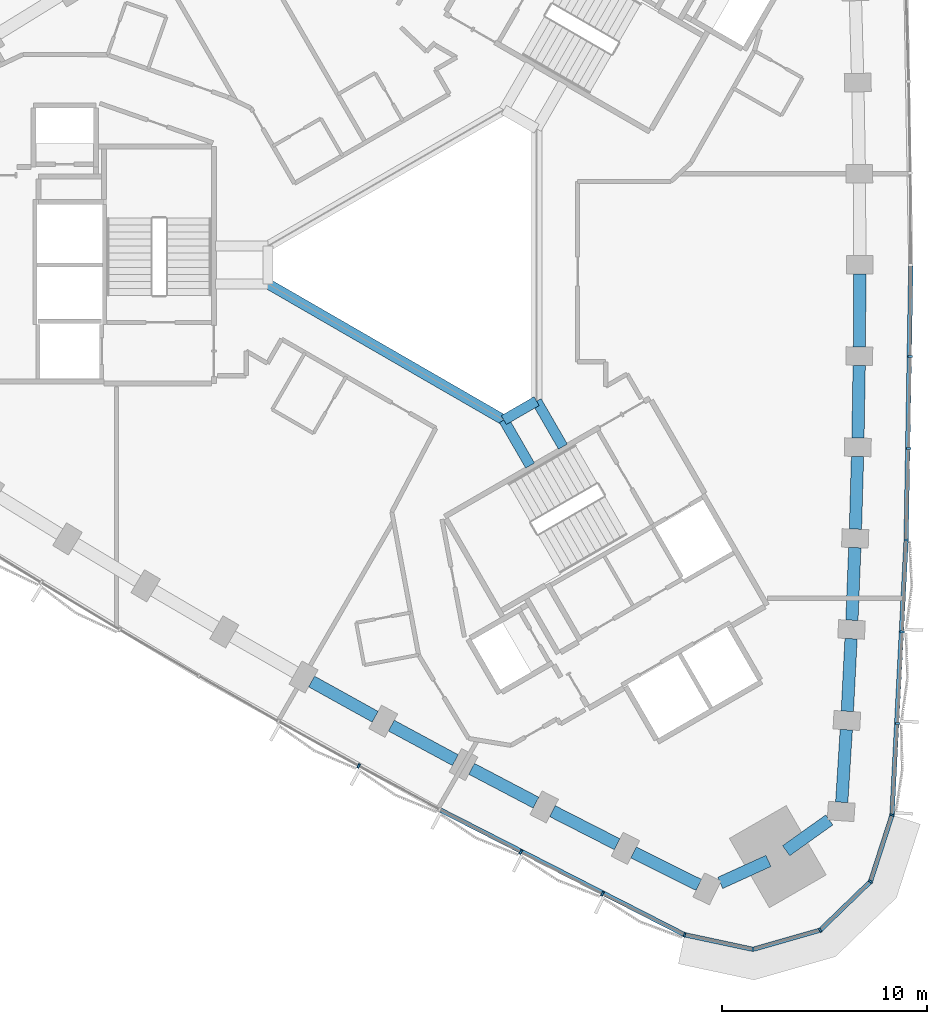
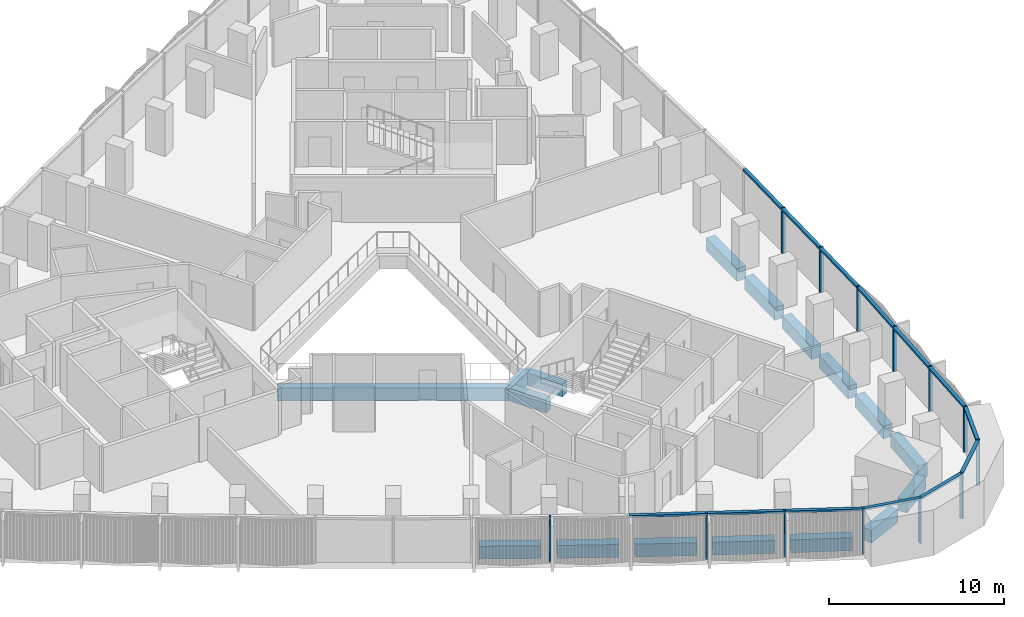
# One storey, part 3 of 15: 20 members, 17 beams, 2 elements without a shape of their own.
"""IFC4 building model written with IfcOpenShell, lengths in metres."""

from ifc_helpers import new_model, si_unit, direction, frame, origin, origin_2d, place, context, subcontext, project, spatial, rectangle, extrude, material, material_profile, profile_set, type_object, element, aggregate, save


model = new_model("IFC4")

# Units and contexts
model_context = context("Model", 3, precision=1e-05, world=origin(), true_north=direction((0.0, 1.0)))
body_context = subcontext(model_context, "Body", "Model", "MODEL_VIEW")
ifc_project = project(units=[si_unit("LENGTHUNIT", "METRE"), si_unit("AREAUNIT", "SQUARE_METRE"), si_unit("VOLUMEUNIT", "CUBIC_METRE"), si_unit("PLANEANGLEUNIT", "RADIAN"), si_unit("MASSUNIT", "GRAM", prefix="KILO")], contexts=[model_context])

# Site, building, storey
site_placement = place(None, origin())
site = spatial("IfcSite", under=ifc_project, at=site_placement, CompositionType="ELEMENT")
building_placement = place(site_placement, origin())
building = spatial("IfcBuilding", under=site, at=building_placement, Name="Tamra Quay Hotel Tower", CompositionType="ELEMENT")
storey_placement = place(building_placement, frame((0.0, 0.0, 108.199951171875)))
storey = spatial("IfcBuildingStorey", under=building, at=storey_placement, Name="L26", CompositionType="ELEMENT", Elevation=108.199951171875)

# Beams
ifc_material_1 = material(Name="Concrete M60", Category="concrete")
ifc_material_profile_1 = material_profile(ifc_material_1, rectangle(XDim=0.5, YDim=0.89990234375, at=origin_2d()), Name="ATRIUM EDGE BEAM RC 500x900")
ifc_profile_set_1 = profile_set([ifc_material_profile_1], Name="Concrete M60")
beam_type_1 = type_object("IfcBeamType", Name="ATRIUM EDGE BEAM RC 500x900", PredefinedType="BEAM", material=ifc_profile_set_1)
beam_1_placement = place(storey_placement, frame((4.89990234375, -6.639404296875, -0.875), z_axis=(-0.865989712182, -0.500061814573, 0.0), x_axis=(0.500061814573, -0.865989712182, 0.0)))
element("IfcBeam", 1, at=beam_1_placement, inside=storey, type_object=beam_type_1, Name="BM-AB1-L26", PredefinedType="BEAM", context=body_context, shape_type="SweptSolid", body=[
    extrude(rectangle(XDim=0.5, YDim=0.89990234375, at=origin_2d()), origin(), (0.0, 0.0, 1.0), 1.847412109375),
])
beam_2_placement = place(storey_placement, frame((3.300048828125, -7.563232421875, -0.875), z_axis=(-0.866029440693, 0.499993007805, 0.0), x_axis=(-0.499993007805, -0.866029440693, 0.0)))
element("IfcBeam", 2, at=beam_2_placement, inside=storey, type_object=beam_type_1, Name="BM-AB2-L26", PredefinedType="BEAM", context=body_context, shape_type="SweptSolid", body=[
    extrude(rectangle(XDim=0.5, YDim=0.89990234375, at=origin_2d()), origin(), (0.0, 0.0, 1.0), 13.279052734375),
])
ifc_material_profile_2 = material_profile(ifc_material_1, rectangle(XDim=0.5, YDim=0.89990234375, at=origin_2d()), Name="ATRIUM TIE BEAM RC 500x900")
ifc_profile_set_2 = profile_set([ifc_material_profile_2], Name="Concrete M60")
beam_type_2 = type_object("IfcBeamType", Name="ATRIUM TIE BEAM RC 500x900", PredefinedType="BEAM", material=ifc_profile_set_2)
for number, where, z_axis, x_axis, name in (
    (3, (4.89990234375, -6.639404296875, -0.875), (0.50003311468, -0.866006284171, 0.0), (0.866006284171, 0.50003311468, 0.0), "BM-TIE-1-L26"),
    (4, (3.300048828125, -7.563232421875, -0.875), (0.499961652204, -0.866047542763, 0.0), (0.866047542763, 0.499961652204, 0.0), "BM-TIE-2-L26"),
):
    element("IfcBeam", number, at=place(storey_placement, frame(where, z_axis=z_axis, x_axis=x_axis)), inside=storey, type_object=beam_type_2, Name=name, PredefinedType="BEAM", context=body_context, shape_type="SweptSolid", body=[
        extrude(rectangle(XDim=0.5, YDim=0.89990234375, at=origin_2d()), origin(), (0.0, 0.0, 1.0), 2.562255859375),
    ])

# Curtain wall, members
ifc_material_2 = material(Name="Aluminium 6063 anodised dark grey", Category="aluminium")
curtain_wall_type_1 = type_object("IfcCurtainWallType", Name="CW1 CURTAIN WALL", PredefinedType="NOTDEFINED", material=ifc_material_2)
curtain_wall_1_placement = place(storey_placement, origin())
curtain_wall_1 = element("IfcCurtainWall", 5, at=curtain_wall_1_placement, inside=storey, type_object=curtain_wall_type_1, Name="CW1 east face L26", PredefinedType="NOTDEFINED")
ifc_material_profile_3 = material_profile(ifc_material_2, rectangle(XDim=0.219970703125, YDim=0.10009765625, at=origin_2d()), Name="MULLION 100X220")
ifc_profile_set_3 = profile_set([ifc_material_profile_3], Name="Aluminium 6063 anodised dark grey")
member_type_1 = type_object("IfcMemberType", Name="MULLION CW1 Z2", PredefinedType="MULLION", material=ifc_profile_set_3)
member_1_placement = place(storey_placement, frame((22.226318359375, -26.81787109375, 0.0), z_axis=(0.0, 0.0, 1.0), x_axis=(0.982419091866, -0.186688853275, 0.0)))
member_1 = element("IfcMember", 6, at=member_1_placement, type_object=member_type_1, Name="CW1 mullion L26.E.1", PredefinedType="MULLION", context=body_context, shape_type="SweptSolid", body=[
    extrude(rectangle(XDim=0.219970703125, YDim=0.10009765625, at=origin_2d()), origin(), (0.0, 0.0, 1.0), 3.175048828125),
])
member_2_placement = place(storey_placement, frame((22.506591796875, -22.354248046875, 0.0), z_axis=(0.0, 0.0, 1.0), x_axis=(0.998374392587, -0.056996247479, 0.0)))
member_2 = element("IfcMember", 7, at=member_2_placement, type_object=member_type_1, Name="CW1 mullion L26.E.2", PredefinedType="MULLION", context=body_context, shape_type="SweptSolid", body=[
    extrude(rectangle(XDim=0.219970703125, YDim=0.10009765625, at=origin_2d()), origin(), (0.0, 0.0, 1.0), 3.175048828125),
])
member_3_placement = place(storey_placement, frame((22.736083984375, -17.886962890625, 0.0), z_axis=(0.0, 0.0, 1.0), x_axis=(0.998958269731, -0.045633050909, 0.0)))
member_3 = element("IfcMember", 8, at=member_3_placement, type_object=member_type_1, Name="CW1 mullion L26.E.3", PredefinedType="MULLION", context=body_context, shape_type="SweptSolid", body=[
    extrude(rectangle(XDim=0.219970703125, YDim=0.10009765625, at=origin_2d()), origin(), (0.0, 0.0, 1.0), 3.175048828125),
])
member_4_placement = place(storey_placement, frame((22.914794921875, -13.417236328125, 0.0), z_axis=(0.0, 0.0, 1.0), x_axis=(0.999413445306, -0.034245661637, 0.0)))
member_4 = element("IfcMember", 9, at=member_4_placement, type_object=member_type_1, Name="CW1 mullion L26.E.4", PredefinedType="MULLION", context=body_context, shape_type="SweptSolid", body=[
    extrude(rectangle(XDim=0.219970703125, YDim=0.10009765625, at=origin_2d()), origin(), (0.0, 0.0, 1.0), 3.175048828125),
])
member_5_placement = place(storey_placement, frame((23.04248046875, -8.94580078125, 0.0), z_axis=(0.0, 0.0, 1.0), x_axis=(0.99973912156, -0.022840508384, 0.0)))
member_5 = element("IfcMember", 10, at=member_5_placement, type_object=member_type_1, Name="CW1 mullion L26.E.5", PredefinedType="MULLION", context=body_context, shape_type="SweptSolid", body=[
    extrude(rectangle(XDim=0.219970703125, YDim=0.10009765625, at=origin_2d()), origin(), (0.0, 0.0, 1.0), 3.175048828125),
])
member_6_placement = place(storey_placement, frame((23.119140625, -4.47314453125, 0.0), z_axis=(0.0, 0.0, 1.0), x_axis=(0.999934749621, -0.011423506449, 0.0)))
member_6 = element("IfcMember", 11, at=member_6_placement, type_object=member_type_1, Name="CW1 mullion L26.E.6", PredefinedType="MULLION", context=body_context, shape_type="SweptSolid", body=[
    extrude(rectangle(XDim=0.219970703125, YDim=0.10009765625, at=origin_2d()), origin(), (0.0, 0.0, 1.0), 3.175048828125),
])

curtain_wall_type_2 = type_object("IfcCurtainWallType", Name="CW3 CURTAIN WALL", PredefinedType="NOTDEFINED", material=ifc_material_2)
curtain_wall_2_placement = place(storey_placement, origin())
curtain_wall_2 = element("IfcCurtainWall", 12, at=curtain_wall_2_placement, inside=storey, type_object=curtain_wall_type_2, Name="CW3 south-west face L26", PredefinedType="NOTDEFINED")
ifc_material_profile_4 = material_profile(ifc_material_2, rectangle(XDim=0.219970703125, YDim=0.10009765625, at=origin_2d()), Name="MULLION 100X220")
ifc_profile_set_4 = profile_set([ifc_material_profile_4], Name="Aluminium 6063 anodised dark grey")
member_type_2 = type_object("IfcMemberType", Name="MULLION CW3 Z2", PredefinedType="MULLION", material=ifc_profile_set_4)
member_7_placement = place(storey_placement, frame((-3.77392578125, -24.42822265625, 0.0), z_axis=(0.0, 0.0, 1.0), x_axis=(-0.480089100284, -0.87721973062, 0.0)))
member_7 = element("IfcMember", 13, at=member_7_placement, type_object=member_type_2, Name="CW3 mullion L26.SW.9", PredefinedType="MULLION", context=body_context, shape_type="SweptSolid", body=[
    extrude(rectangle(XDim=0.219970703125, YDim=0.10009765625, at=origin_2d()), origin(), (0.0, 0.0, 1.0), 3.175048828125),
])
member_8_placement = place(storey_placement, frame((4.122314453125, -28.633544921875, 0.0), z_axis=(0.0, 0.0, 1.0), x_axis=(-0.459959753526, -0.887939764362, 0.0)))
member_8 = element("IfcMember", 14, at=member_8_placement, type_object=member_type_2, Name="CW3 mullion L26.SW.11", PredefinedType="MULLION", context=body_context, shape_type="SweptSolid", body=[
    extrude(rectangle(XDim=0.219970703125, YDim=0.10009765625, at=origin_2d()), origin(), (0.0, 0.0, 1.0), 3.175048828125),
])
member_9_placement = place(storey_placement, frame((8.10595703125, -30.66845703125, 0.0), z_axis=(0.0, 0.0, 1.0), x_axis=(-0.449826998056, -0.893115710208, 0.0)))
member_9 = element("IfcMember", 15, at=member_9_placement, type_object=member_type_2, Name="CW3 mullion L26.SW.12", PredefinedType="MULLION", context=body_context, shape_type="SweptSolid", body=[
    extrude(rectangle(XDim=0.219970703125, YDim=0.10009765625, at=origin_2d()), origin(), (0.0, 0.0, 1.0), 3.175048828125),
])
member_10_placement = place(storey_placement, frame((12.111572265625, -32.657470703125, 0.0), z_axis=(0.0, 0.0, 1.0), x_axis=(-0.329532256394, -0.944144317356, 0.0)))
member_10 = element("IfcMember", 16, at=member_10_placement, type_object=member_type_2, Name="CW3 mullion L26.SW.13", PredefinedType="MULLION", context=body_context, shape_type="SweptSolid", body=[
    extrude(rectangle(XDim=0.219970703125, YDim=0.10009765625, at=origin_2d()), origin(), (0.0, 0.0, 1.0), 3.175048828125),
])
member_11_placement = place(storey_placement, frame((15.4462890625, -33.370849609375, 0.0), z_axis=(0.0, 0.0, 1.0), x_axis=(0.03404070031, -0.999420447421, 0.0)))
member_11 = element("IfcMember", 17, at=member_11_placement, type_object=member_type_2, Name="CW3 mullion L26.SW.14", PredefinedType="MULLION", context=body_context, shape_type="SweptSolid", body=[
    extrude(rectangle(XDim=0.219970703125, YDim=0.10009765625, at=origin_2d()), origin(), (0.0, 0.0, 1.0), 3.175048828125),
])
member_12_placement = place(storey_placement, frame((18.724853515625, -32.43212890625, 0.0), z_axis=(0.0, 0.0, 1.0), x_axis=(0.5, -0.866025403784, 0.0)))
member_12 = element("IfcMember", 18, at=member_12_placement, type_object=member_type_2, Name="CW3 mullion L26.SW.15", PredefinedType="MULLION", context=body_context, shape_type="SweptSolid", body=[
    extrude(rectangle(XDim=0.219970703125, YDim=0.10009765625, at=origin_2d()), origin(), (0.0, 0.0, 1.0), 3.175048828125),
])
member_13_placement = place(storey_placement, frame((21.1767578125, -30.062255859375, 0.0), z_axis=(0.0, 0.0, 1.0), x_axis=(0.848503146373, -0.529190334941, 0.0)))
member_13 = element("IfcMember", 19, at=member_13_placement, type_object=member_type_2, Name="CW3 mullion L26.SW.16", PredefinedType="MULLION", context=body_context, shape_type="SweptSolid", body=[
    extrude(rectangle(XDim=0.219970703125, YDim=0.10009765625, at=origin_2d()), origin(), (0.0, 0.0, 1.0), 3.175048828125),
])

# Beams
ifc_material_profile_5 = material_profile(ifc_material_1, rectangle(XDim=0.60009765625, YDim=0.89990234375, at=origin_2d()), Name="SPANDREL BEAM RC 600x900")
ifc_profile_set_5 = profile_set([ifc_material_profile_5], Name="Concrete M60")
beam_type_3 = type_object("IfcBeamType", Name="SPANDREL BEAM RC 600x900", PredefinedType="SPANDREL", material=ifc_profile_set_5)
beam_3_placement = place(storey_placement, frame((19.7744140625, -26.199462890625, -0.875), z_axis=(0.062669833409, 0.99803431403, 0.0), x_axis=(-0.99803431403, 0.062669833409, 0.0)))
element("IfcBeam", 20, at=beam_3_placement, inside=storey, type_object=beam_type_3, Name="BM-SP2-000-L26", PredefinedType="SPANDREL", context=body_context, shape_type="SweptSolid", body=[
    extrude(rectangle(XDim=0.60009765625, YDim=0.89990234375, at=origin_2d()), origin(), (0.0, 0.0, 1.0), 3.545166015625),
])
beam_4_placement = place(storey_placement, frame((20.048095703125, -21.7626953125, -0.875), z_axis=(0.051311627905, 0.998682690769, 0.0), x_axis=(-0.998682690769, 0.051311627905, 0.0)))
element("IfcBeam", 21, at=beam_4_placement, inside=storey, type_object=beam_type_3, Name="BM-SP2-001-L26", PredefinedType="SPANDREL", context=body_context, shape_type="SweptSolid", body=[
    extrude(rectangle(XDim=0.60009765625, YDim=0.89990234375, at=origin_2d()), origin(), (0.0, 0.0, 1.0), 3.544677734375),
])
for number, where, z_axis, x_axis, name in (
    (22, (20.27099609375, -17.323486328125, -0.875), (0.039946034354, 0.999201838639, 0.0), (-0.999201838639, 0.039946034354, 0.0), "BM-SP2-002-L26"),
    (23, (20.443359375, -12.882080078125, -0.875), (0.02858140136, 0.999591468299, 0.0), (-0.999591468299, 0.02858140136, 0.0), "BM-SP2-003-L26"),
):
    element("IfcBeam", number, at=place(storey_placement, frame(where, z_axis=z_axis, x_axis=x_axis)), inside=storey, type_object=beam_type_3, Name=name, PredefinedType="SPANDREL", context=body_context, shape_type="SweptSolid", body=[
        extrude(rectangle(XDim=0.60009765625, YDim=0.89990234375, at=origin_2d()), origin(), (0.0, 0.0, 1.0), 3.544921875),
    ])
beam_5_placement = place(storey_placement, frame((20.565185546875, -8.43896484375, -0.875), z_axis=(0.017149781635, 0.99985293168, 0.0), x_axis=(-0.99985293168, 0.017149781635, 0.0)))
element("IfcBeam", 24, at=beam_5_placement, inside=storey, type_object=beam_type_3, Name="BM-SP2-004-L26", PredefinedType="SPANDREL", context=body_context, shape_type="SweptSolid", body=[
    extrude(rectangle(XDim=0.60009765625, YDim=0.89990234375, at=origin_2d()), origin(), (0.0, 0.0, 1.0), 3.544677734375),
])
for number, where, z_axis, x_axis, name in (
    (25, (20.63623046875, -3.994873046875, -0.875), (0.005716160055, 0.999983662624, 0.0), (-0.999983662624, 0.005716160055, 0.0), "BM-SP2-005-L26"),
    (26, (-6.073974609375, -20.309814453125, -0.875), (0.874475461638, -0.48506975477, 0.0), (0.48506975477, 0.874475461638, 0.0), "BM-SP2-035-L26"),
    (27, (-2.184814453125, -22.46142578125, -0.875), (0.879950887438, -0.475064664753, 0.0), (0.475064664753, 0.879950887438, 0.0), "BM-SP2-036-L26"),
):
    element("IfcBeam", number, at=place(storey_placement, frame(where, z_axis=z_axis, x_axis=x_axis)), inside=storey, type_object=beam_type_3, Name=name, PredefinedType="SPANDREL", context=body_context, shape_type="SweptSolid", body=[
        extrude(rectangle(XDim=0.60009765625, YDim=0.89990234375, at=origin_2d()), origin(), (0.0, 0.0, 1.0), 3.544921875),
    ])
beam_6_placement = place(storey_placement, frame((1.72900390625, -24.568603515625, -0.875), z_axis=(0.885322773021, -0.464976975312, 0.0), x_axis=(0.464976975312, 0.885322773021, 0.0)))
element("IfcBeam", 28, at=beam_6_placement, inside=storey, type_object=beam_type_3, Name="BM-SP2-037-L26", PredefinedType="SPANDREL", context=body_context, shape_type="SweptSolid", body=[
    extrude(rectangle(XDim=0.60009765625, YDim=0.89990234375, at=origin_2d()), origin(), (0.0, 0.0, 1.0), 3.544677734375),
])
beam_7_placement = place(storey_placement, frame((5.666259765625, -26.630859375, -0.875), z_axis=(0.890551251107, -0.45488291807, 0.0), x_axis=(0.45488291807, 0.890551251107, 0.0)))
element("IfcBeam", 29, at=beam_7_placement, inside=storey, type_object=beam_type_3, Name="BM-SP2-038-L26", PredefinedType="SPANDREL", context=body_context, shape_type="SweptSolid", body=[
    extrude(rectangle(XDim=0.60009765625, YDim=0.89990234375, at=origin_2d()), origin(), (0.0, 0.0, 1.0), 3.544921875),
])
beam_8_placement = place(storey_placement, frame((9.626953125, -28.648193359375, -0.875), z_axis=(0.895622275285, -0.444815399928, 0.0), x_axis=(0.444815399928, 0.895622275285, 0.0)))
element("IfcBeam", 30, at=beam_8_placement, inside=storey, type_object=beam_type_3, Name="BM-SP2-039-L26", PredefinedType="SPANDREL", context=body_context, shape_type="SweptSolid", body=[
    extrude(rectangle(XDim=0.60009765625, YDim=0.89990234375, at=origin_2d()), origin(), (0.0, 0.0, 1.0), 3.545166015625),
])
for number, where, z_axis, x_axis, name in (
    (31, (13.8505859375, -30.130615234375, -0.875), (0.909819048293, 0.415005179923, 0.0), (-0.415005179923, 0.909819048293, 0.0), "BM-SP2-040-L26"),
    (32, (17.063720703125, -28.560546875, -0.875), (0.814339289036, 0.580389112865, 0.0), (-0.580389112865, 0.814339289036, 0.0), "BM-SP2-041-L26"),
):
    element("IfcBeam", number, at=place(storey_placement, frame(where, z_axis=z_axis, x_axis=x_axis)), inside=storey, type_object=beam_type_3, Name=name, PredefinedType="SPANDREL", context=body_context, shape_type="SweptSolid", body=[
        extrude(rectangle(XDim=0.60009765625, YDim=0.89990234375, at=origin_2d()), origin(), (0.0, 0.0, 1.0), 2.5849609375),
    ])

# Member
ifc_material_profile_6 = material_profile(ifc_material_2, rectangle(XDim=0.219970703125, YDim=0.139892578125, at=origin_2d()), Name="TRANSOM 220X140")
ifc_profile_set_6 = profile_set([ifc_material_profile_6], Name="Aluminium 6063 anodised dark grey")
member_type_3 = type_object("IfcMemberType", Name="TRANSOM CW1 Z2", PredefinedType="USERDEFINED", material=ifc_profile_set_6)
member_14_placement = place(storey_placement, frame((22.2294921875, -26.767822265625, 3.10498046875), z_axis=(0.051309919366, 0.998682778551, 0.0), x_axis=(-0.998682778551, 0.051309919366, 0.0)))
member_14 = element("IfcMember", 33, at=member_14_placement, type_object=member_type_3, Name="CW1 transom L26.E.1", ObjectType="TRANSOM", PredefinedType="USERDEFINED", context=body_context, shape_type="SweptSolid", body=[
    extrude(rectangle(XDim=0.219970703125, YDim=0.139892578125, at=origin_2d()), origin(), (0.0, 0.0, 1.0), 13.318115234375),
])

member_15_placement = place(storey_placement, frame((22.916259765625, -13.3671875, 3.10498046875), z_axis=(0.017138663343, 0.999853122323, 0.0), x_axis=(-0.999853122323, 0.017138663343, 0.0)))
member_15 = element("IfcMember", 34, at=member_15_placement, type_object=member_type_3, Name="CW1 transom L26.E.4", ObjectType="TRANSOM", PredefinedType="USERDEFINED", context=body_context, shape_type="SweptSolid", body=[
    extrude(rectangle(XDim=0.219970703125, YDim=0.139892578125, at=origin_2d()), origin(), (0.0, 0.0, 1.0), 13.319091796875),
])

aggregate(curtain_wall_1, [member_1, member_14, member_2, member_3, member_4, member_15, member_5, member_6])

ifc_material_profile_7 = material_profile(ifc_material_2, rectangle(XDim=0.219970703125, YDim=0.139892578125, at=origin_2d()), Name="TRANSOM 220X140")
ifc_profile_set_7 = profile_set([ifc_material_profile_7], Name="Aluminium 6063 anodised dark grey")
member_type_4 = type_object("IfcMemberType", Name="TRANSOM CW3 Z2", PredefinedType="USERDEFINED", material=ifc_profile_set_7)
member_16_placement = place(storey_placement, frame((0.20654296875, -26.57666015625, 3.10498046875), z_axis=(0.890537010915, -0.45491079586, 0.0), x_axis=(0.45491079586, 0.890537010915, 0.0)))
member_16 = element("IfcMember", 35, at=member_16_placement, type_object=member_type_4, Name="CW3 transom L26.SW.10", ObjectType="TRANSOM", PredefinedType="USERDEFINED", context=body_context, shape_type="SweptSolid", body=[
    extrude(rectangle(XDim=0.219970703125, YDim=0.139892578125, at=origin_2d()), origin(), (0.0, 0.0, 1.0), 13.318115234375),
])

member_17_placement = place(storey_placement, frame((12.16064453125, -32.66796875, 3.10498046875), z_axis=(0.977877907042, -0.209176477928, 0.0), x_axis=(0.209176477928, 0.977877907042, 0.0)))
member_17 = element("IfcMember", 36, at=member_17_placement, type_object=member_type_4, Name="CW3 transom L26.SW.13", ObjectType="TRANSOM", PredefinedType="USERDEFINED", context=body_context, shape_type="SweptSolid", body=[
    extrude(rectangle(XDim=0.219970703125, YDim=0.139892578125, at=origin_2d()), origin(), (0.0, 0.0, 1.0), 3.31005859375),
])

member_18_placement = place(storey_placement, frame((15.494384765625, -33.35693359375, 3.10498046875), z_axis=(0.961393028347, 0.275178932778, 0.0), x_axis=(-0.275178932778, 0.961393028347, 0.0)))
member_18 = element("IfcMember", 37, at=member_18_placement, type_object=member_type_4, Name="CW3 transom L26.SW.14", ObjectType="TRANSOM", PredefinedType="USERDEFINED", context=body_context, shape_type="SweptSolid", body=[
    extrude(rectangle(XDim=0.219970703125, YDim=0.139892578125, at=origin_2d()), origin(), (0.0, 0.0, 1.0), 3.31005859375),
])

member_19_placement = place(storey_placement, frame((18.7607421875, -32.3974609375, 3.10498046875), z_axis=(0.719063315741, 0.694944564664, 0.0), x_axis=(-0.694944564664, 0.719063315741, 0.0)))
member_19 = element("IfcMember", 38, at=member_19_placement, type_object=member_type_4, Name="CW3 transom L26.SW.15", ObjectType="TRANSOM", PredefinedType="USERDEFINED", context=body_context, shape_type="SweptSolid", body=[
    extrude(rectangle(XDim=0.219970703125, YDim=0.139892578125, at=origin_2d()), origin(), (0.0, 0.0, 1.0), 3.31005859375),
])

member_20_placement = place(storey_placement, frame((21.192138671875, -30.0146484375, 3.10498046875), z_axis=(0.307784937637, 0.951455953875, 0.0), x_axis=(-0.951455953875, 0.307784937637, 0.0)))
member_20 = element("IfcMember", 39, at=member_20_placement, type_object=member_type_4, Name="CW3 transom L26.SW.16", ObjectType="TRANSOM", PredefinedType="USERDEFINED", context=body_context, shape_type="SweptSolid", body=[
    extrude(rectangle(XDim=0.219970703125, YDim=0.139892578125, at=origin_2d()), origin(), (0.0, 0.0, 1.0), 3.31005859375),
])

aggregate(curtain_wall_2, [member_7, member_16, member_8, member_9, member_10, member_17, member_11, member_18, member_12, member_19, member_13, member_20])

save(model, "model.ifc")
